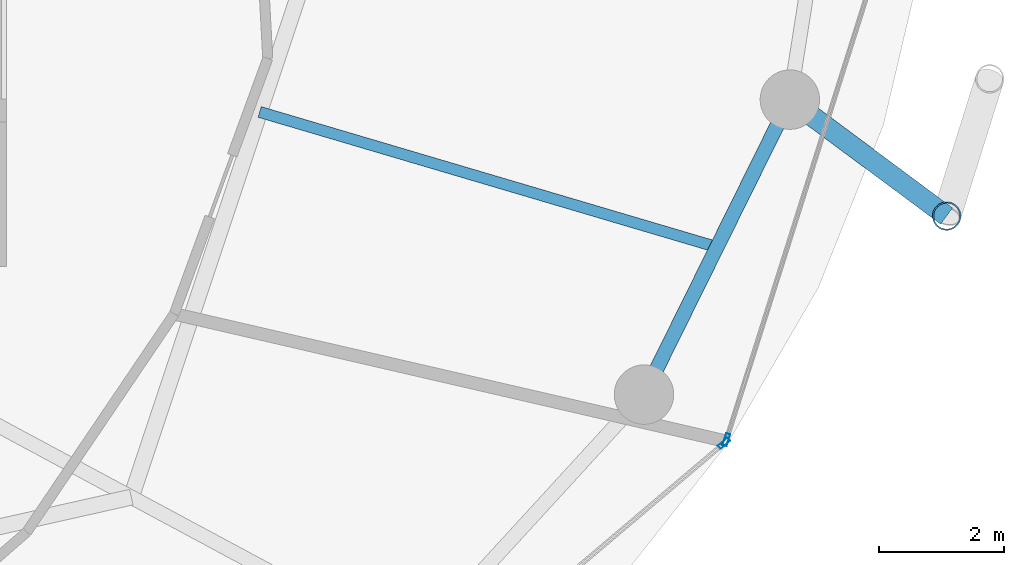
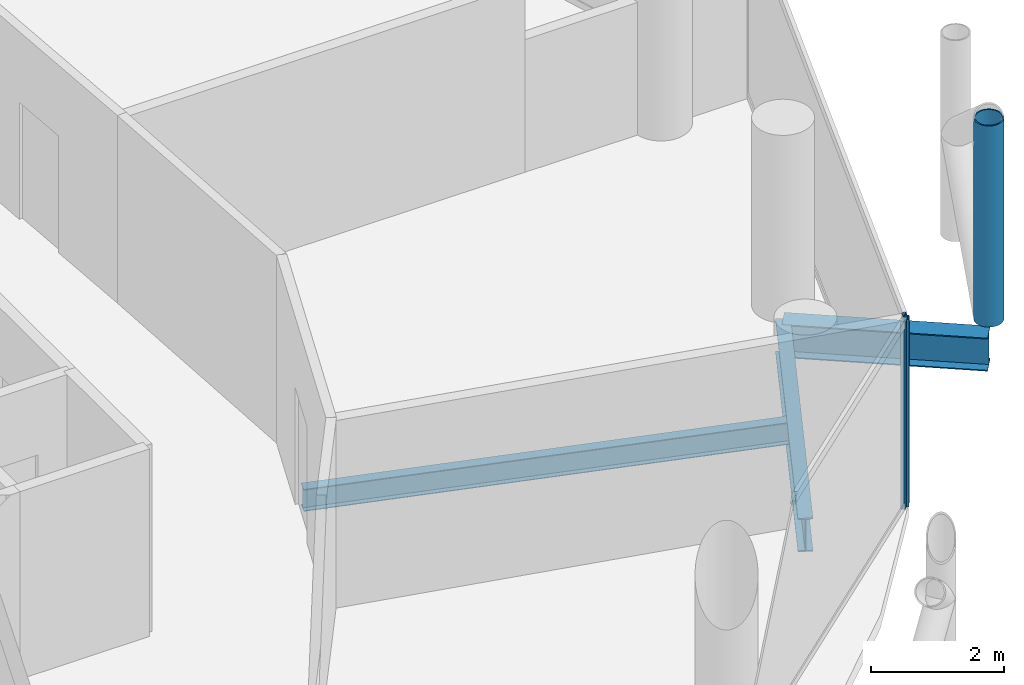
# One storey, part 10 of 26: 3 beams, 3 members, 2 elements without a shape of their own.
"""IFC4 building model written with IfcOpenShell, lengths in metres."""

from ifc_helpers import new_model, si_unit, direction, frame, origin, origin_2d, place, context, subcontext, project, spatial, hollow_rectangle, hollow_circle, i_section, extrude, material, layer, layer_set, material_profile, profile_set, type_object, element, aggregate, save


model = new_model("IFC4")

# Units and contexts
model_context = context("Model", 3, precision=1e-05, world=origin(), true_north=direction((0.0, 1.0)))
body_context = subcontext(model_context, "Body", "Model", "MODEL_VIEW")
ifc_project = project(units=[si_unit("LENGTHUNIT", "METRE"), si_unit("AREAUNIT", "SQUARE_METRE"), si_unit("VOLUMEUNIT", "CUBIC_METRE"), si_unit("PLANEANGLEUNIT", "RADIAN"), si_unit("MASSUNIT", "GRAM", prefix="KILO")], contexts=[model_context])

# Site, building, storey
site_placement = place(None, origin())
site = spatial("IfcSite", under=ifc_project, at=site_placement, CompositionType="ELEMENT")
building_placement = place(site_placement, origin())
building = spatial("IfcBuilding", under=site, at=building_placement, Name="Nuhasar Tower", CompositionType="ELEMENT")
storey_placement = place(building_placement, frame((0.0, 0.0, 151.550048828125)))
storey = spatial("IfcBuildingStorey", under=building, at=storey_placement, Name="L36", CompositionType="ELEMENT", Elevation=151.550048828125)

# Beams
ifc_material_1 = material(Name="Steel S355", Category="steel")
ifc_material_profile_1 = material_profile(ifc_material_1, i_section(OverallWidth=0.177978515625, OverallDepth=0.406005859375, WebThickness=0.0078125, FlangeThickness=0.0126953125, at=origin_2d()), Name="W16X40")
ifc_profile_set_1 = profile_set([ifc_material_profile_1], Name="Steel S355")
beam_type_1 = type_object("IfcBeamType", Name="BM-JST-W16X40", PredefinedType="JOIST", material=ifc_profile_set_1)
beam_1_placement = place(storey_placement, frame((53.0791015625, 21.54296875, -0.453125), z_axis=(0.959000494697, -0.283404395116, 0.0), x_axis=(0.283404395116, 0.959000494697, 0.0)))
element("IfcBeam", 1, at=beam_1_placement, inside=storey, type_object=beam_type_1, Name="L36 Secondary Floor Joist 03", PredefinedType="JOIST", context=body_context, shape_type="SweptSolid", body=[
    extrude(i_section(OverallWidth=0.177978515625, OverallDepth=0.406005859375, WebThickness=0.0078125, FlangeThickness=0.0126953125, at=origin_2d()), origin(), (0.0, 0.0, 1.0), 7.621337890625),
])
ifc_material_profile_2 = material_profile(ifc_material_1, i_section(OverallWidth=0.22998046875, OverallDepth=0.616943359375, WebThickness=0.01318359375, FlangeThickness=0.022216796875, at=origin_2d()), Name="W24X94")
ifc_profile_set_2 = profile_set([ifc_material_profile_2], Name="Steel S355")
beam_type_2 = type_object("IfcBeamType", Name="BM-RING-W24X94", PredefinedType="SPANDREL", material=ifc_profile_set_2)
beam_2_placement = place(storey_placement, frame((59.221923828125, 17.02490234375, -0.55810546875), z_axis=(0.443329327657, 0.896358804966, 0.0), x_axis=(-0.896358804966, 0.443329327657, 0.0)))
element("IfcBeam", 2, at=beam_2_placement, inside=storey, type_object=beam_type_2, Name="L36 Perimeter Ring Spandrel 23", PredefinedType="SPANDREL", context=body_context, shape_type="SweptSolid", body=[
    extrude(i_section(OverallWidth=0.22998046875, OverallDepth=0.616943359375, WebThickness=0.01318359375, FlangeThickness=0.022216796875, at=origin_2d()), origin(), (0.0, 0.0, 1.0), 5.26025390625),
])
ifc_material_profile_3 = material_profile(ifc_material_1, i_section(OverallWidth=0.323974609375, OverallDepth=0.611083984375, WebThickness=0.0126953125, FlangeThickness=0.01904296875, at=origin_2d()), Name="W24X104")
ifc_profile_set_3 = profile_set([ifc_material_profile_3], Name="Steel S355")
beam_type_3 = type_object("IfcBeamType", Name="BM-TIE-W24X104", PredefinedType="BEAM", material=ifc_profile_set_3)
beam_3_placement = place(storey_placement, frame((61.553955078125, 21.739990234375, -0.554931640625), z_axis=(0.80283476238, -0.596201597041, 0.0), x_axis=(0.596201597041, 0.80283476238, 0.0)))
element("IfcBeam", 3, at=beam_3_placement, inside=storey, type_object=beam_type_3, Name="L36 Exoskeleton Node Tie Beam 12", PredefinedType="BEAM", context=body_context, shape_type="SweptSolid", body=[
    extrude(i_section(OverallWidth=0.323974609375, OverallDepth=0.611083984375, WebThickness=0.0126953125, FlangeThickness=0.01904296875, at=origin_2d()), origin(), (0.0, 0.0, 1.0), 3.12158203125),
])

# Curtain wall, member
ifc_material_2 = material(Name="Aluminium 6063-T6", Category="aluminium")
ifc_layer = layer(ifc_material_2, 0.199951171875)
ifc_layer_set = layer_set([ifc_layer], Name="Aluminium 6063-T6")
curtain_wall_type = type_object("IfcCurtainWallType", Name="CW-Z2-HTL", PredefinedType="NOTDEFINED", material=ifc_layer_set)
curtain_wall_1_placement = place(storey_placement, origin())
curtain_wall_1 = element("IfcCurtainWall", 4, at=curtain_wall_1_placement, inside=storey, type_object=curtain_wall_type, Name="L36 Unitised Curtain Wall 11", PredefinedType="NOTDEFINED")
ifc_material_profile_4 = material_profile(ifc_material_2, hollow_rectangle(XDim=0.070068359375, YDim=0.199951171875, WallThickness=0.0048828125, at=origin_2d()), Name="CWM-3")
ifc_profile_set_4 = profile_set([ifc_material_profile_4], Name="Aluminium 6063-T6")
member_type_1 = type_object("IfcMemberType", Name="CW-MUL-S3", PredefinedType="MULLION", material=ifc_profile_set_4)
member_1_placement = place(storey_placement, frame((60.502197265625, 16.247314453125, 0.0), z_axis=(0.0, 0.0, 1.0), x_axis=(-0.646374438324, 0.763020370292, 0.0)))
member_1 = element("IfcMember", 5, at=member_1_placement, type_object=member_type_1, Name="CW-Z2 mullion 2", PredefinedType="MULLION", context=body_context, shape_type="SweptSolid", body=[
    extrude(hollow_rectangle(XDim=0.070068359375, YDim=0.199951171875, WallThickness=0.0048828125, at=origin_2d()), origin(), (0.0, 0.0, 1.0), 3.449951171875),
])
aggregate(curtain_wall_1, [member_1])

curtain_wall_2_placement = place(storey_placement, origin())
curtain_wall_2 = element("IfcCurtainWall", 6, at=curtain_wall_2_placement, inside=storey, type_object=curtain_wall_type, Name="L36 Unitised Curtain Wall 12", PredefinedType="NOTDEFINED")
member_2_placement = place(storey_placement, frame((60.53955078125, 16.303466796875, 0.0), z_axis=(0.0, 0.0, 1.0), x_axis=(-0.953433389233, 0.301603667577, 0.0)))
member_2 = element("IfcMember", 7, at=member_2_placement, type_object=member_type_1, Name="CW-Z2 mullion 1", PredefinedType="MULLION", context=body_context, shape_type="SweptSolid", body=[
    extrude(hollow_rectangle(XDim=0.070068359375, YDim=0.199951171875, WallThickness=0.0048828125, at=origin_2d()), origin(), (0.0, 0.0, 1.0), 3.449951171875),
])
aggregate(curtain_wall_2, [member_2])

# Member
ifc_material_3 = material(Name="Steel S460", Category="steel")
ifc_material_profile_5 = material_profile(ifc_material_3, hollow_circle(Radius=0.228515625, WallThickness=0.022216796875, at=origin_2d()), Name="HSS457X22.2")
ifc_profile_set_5 = profile_set([ifc_material_profile_5], Name="Steel S460")
member_type_2 = type_object("IfcMemberType", Name="EXO-BRONZE-457", PredefinedType="BRACE", material=ifc_profile_set_5)
member_3_placement = place(storey_placement, frame((64.06005859375, 19.87890625, 0.0), z_axis=(0.0, 0.0, 1.0), x_axis=(1.0, 0.0, 0.0)))
element("IfcMember", 8, at=member_3_placement, inside=storey, type_object=member_type_2, Name="L36 Exoskeleton Chord Column EC-12A", PredefinedType="BRACE", context=body_context, shape_type="SweptSolid", body=[
    extrude(hollow_circle(Radius=0.228515625, WallThickness=0.022216796875, at=origin_2d()), origin(), (0.0, 0.0, 1.0), 3.699951171875),
])

save(model, "model.ifc")
